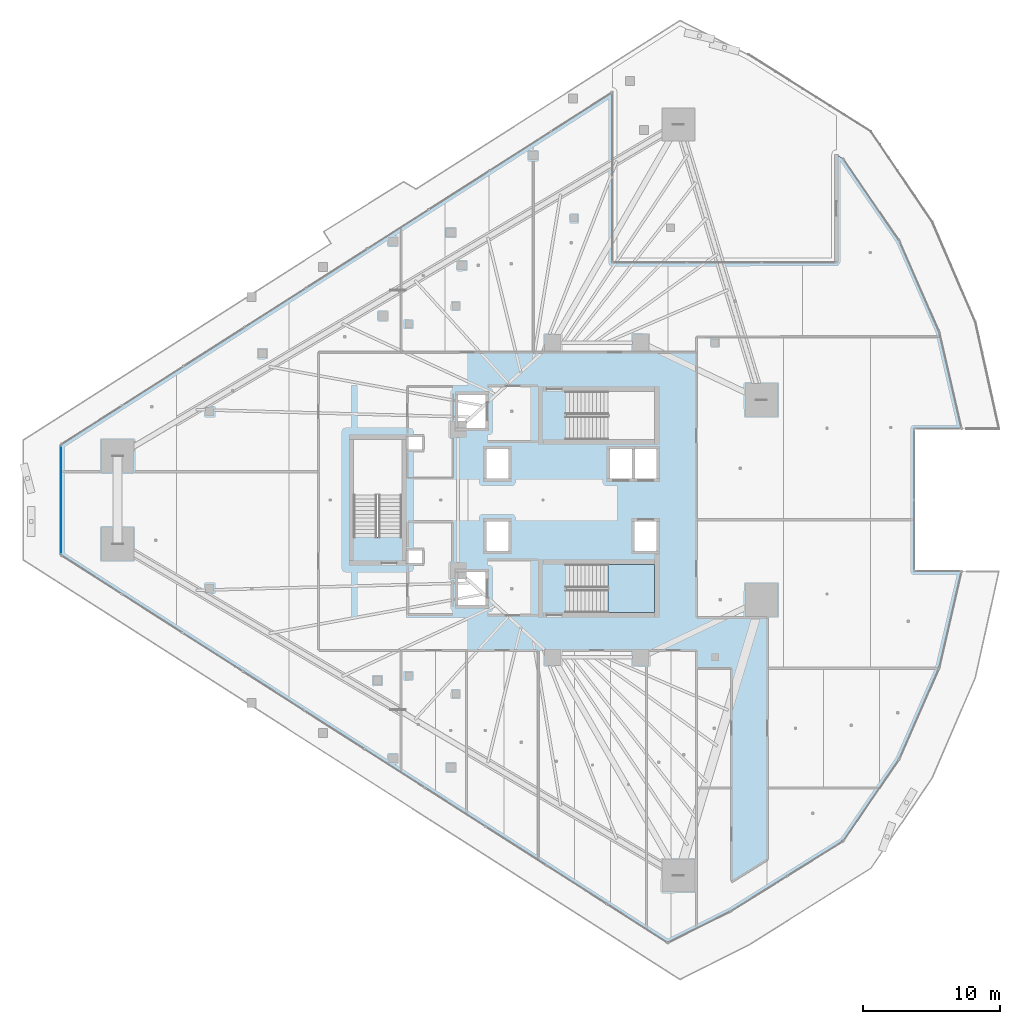
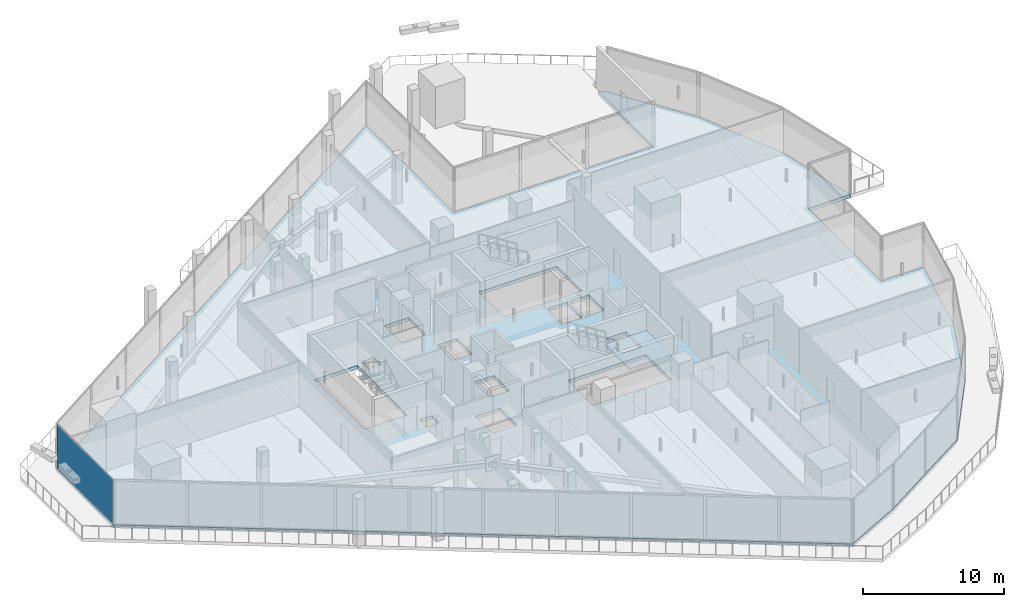
# One storey, part 28 of 47: 2 slabs, 1 plate, 2 elements without a shape of their own.
"""IFC4 building model written with IfcOpenShell, lengths in metres."""

from ifc_helpers import new_model, si_unit, direction, frame, origin, origin_2d, place, context, subcontext, project, spatial, polyline, rectangle, outline, extrude, material, layer, layer_set, type_object, element, aggregate, save


model = new_model("IFC4")

# Units and contexts
model_context = context("Model", 3, precision=1e-05, world=origin(), true_north=direction((0.0, 1.0)))
body_context = subcontext(model_context, "Body", "Model", "MODEL_VIEW")
ifc_project = project(units=[si_unit("LENGTHUNIT", "METRE"), si_unit("AREAUNIT", "SQUARE_METRE"), si_unit("VOLUMEUNIT", "CUBIC_METRE"), si_unit("PLANEANGLEUNIT", "RADIAN"), si_unit("MASSUNIT", "GRAM", prefix="KILO")], contexts=[model_context])

# Site, building, storey
site_placement = place(None, origin())
site = spatial("IfcSite", under=ifc_project, at=site_placement, CompositionType="ELEMENT")
building_placement = place(site_placement, origin())
building = spatial("IfcBuilding", under=site, at=building_placement, Name="Qorvath Tower", CompositionType="ELEMENT")
storey_placement = place(building_placement, frame((0.0, 0.0, 74.39990234375)))
storey = spatial("IfcBuildingStorey", under=building, at=storey_placement, Name="L16", CompositionType="ELEMENT", Elevation=74.39990234375)

# Curtain wall, plate
ifc_material_1 = material(Name="Anodised aluminium and triple low-E glass", Category="aluminium")
ifc_layer_1 = layer(ifc_material_1, 0.179931640625)
ifc_layer_set_1 = layer_set([ifc_layer_1], Name="CW-SYS-5")
curtain_wall_type = type_object("IfcCurtainWallType", Name="CW-SYS-5", PredefinedType="NOTDEFINED", material=ifc_layer_set_1)
curtain_wall_placement = place(storey_placement, origin())
curtain_wall = element("IfcCurtainWall", 1, at=curtain_wall_placement, inside=storey, type_object=curtain_wall_type, Name="Curtain Wall CW-5 CW-T-L16-5.1", PredefinedType="NOTDEFINED")
ifc_material_2 = material(Name="Low-E triple insulated glass", Category="glass")
ifc_layer_2 = layer(ifc_material_2, 0.031982421875)
ifc_layer_set_2 = layer_set([ifc_layer_2], Name="CWP-GLZ-32")
plate_type = type_object("IfcPlateType", Name="CWP-GLZ-32", PredefinedType="CURTAIN_PANEL", material=ifc_layer_set_2)
plate_placement = place(storey_placement, frame((-59.395751953125, 0.0, 0.06494140625), z_axis=(0.0, 0.0, 1.0), x_axis=(0.0, -1.0, 0.0)))
plate = element("IfcPlate", 2, at=plate_placement, type_object=plate_type, Name="CW-5 panel 1.1", PredefinedType="CURTAIN_PANEL", context=body_context, shape_type="SweptSolid", body=[
    extrude(rectangle(XDim=7.910888671875, YDim=0.031982421875, at=origin_2d()), origin(), (0.0, 0.0, 1.0), 3.790283203125),
])
aggregate(curtain_wall, [plate])

# Stair, slab
ifc_material_3 = material(Name="Concrete C50/60", Category="concrete")
stair_type = type_object("IfcStairType", Name="ST-H420", PredefinedType="HALF_TURN_STAIR", material=ifc_material_3)
stair_placement = place(storey_placement, origin())
stair = element("IfcStair", 3, at=stair_placement, inside=storey, type_object=stair_type, Name="L16 Tower Exit Stair 2", PredefinedType="HALF_TURN_STAIR")
ifc_material_4 = material(Name="Concrete C50/60", Category="concrete")
ifc_layer_3 = layer(ifc_material_4, 0.199951171875)
ifc_layer_set_3 = layer_set([ifc_layer_3], Name="SL-LND-200")
slab_type_1 = type_object("IfcSlabType", Name="SL-LND-200", PredefinedType="LANDING", material=ifc_layer_set_3)
slab_1_placement = place(storey_placement, frame((0.0, 0.0, 1.900146484375)))
slab_1 = element("IfcSlab", 4, at=slab_1_placement, type_object=slab_type_1, Name="TS2 landing 1", PredefinedType="LANDING", context=body_context, shape_type="SweptSolid", body=[
    extrude(outline(polyline([(-19.590087890625, -8.199951171875), (-16.199951171875, -8.199951171875), (-16.199951171875, -4.68994140625), (-19.590087890625, -4.68994140625), (-19.590087890625, -8.199951171875)])), origin(), (0.0, 0.0, 1.0), 0.199951171875),
])
aggregate(stair, [slab_1])

# Slab
ifc_material_5 = material(Name="Concrete C45/55", Category="concrete")
ifc_layer_4 = layer(ifc_material_5, 0.280029296875)
ifc_layer_set_4 = layer_set([ifc_layer_4], Name="SL-TYP-280")
slab_type_2 = type_object("IfcSlabType", Name="SL-TYP-280", PredefinedType="FLOOR", material=ifc_layer_set_4)
slab_2_placement = place(storey_placement, frame((0.0, 0.0, -0.27978515625)))
element("IfcSlab", 5, at=slab_2_placement, inside=storey, type_object=slab_type_2, Name="Tower L16 Interior Floor Slab", PredefinedType="FLOOR", context=body_context, shape_type="SweptSolid", body=[
    extrude(outline(polyline([(-2.456298828125, 24.827392578125), (-2.9599609375, 25.141845703125), (-2.9599609375, 17.280029296875), (-19.280029296875, 17.280029296875), (-19.280029296875, 29.669677734375), (-59.395751953125, 4.030517578125), (-59.395751953125, -4.030517578125), (-15.251953125, -32.244140625), (-10.6455078125, -29.94091796875), (-2.456298828125, -24.827392578125), (1.622802734375, -18.85498046875), (4.525634765625, -12.23095703125), (6.15185546875, -5.18408203125), (2.69580078125, -5.18408203125), (2.69580078125, 5.18408203125), (6.15185546875, 5.18408203125), (4.525634765625, 12.23095703125), (1.622802734375, 18.85498046875), (-2.456298828125, 24.827392578125)]), holes=[polyline([(-17.64990234375, -3.699951171875), (-17.64990234375, -1.550048828125), (-16.050048828125, -1.550048828125), (-16.050048828125, -3.699951171875), (-17.64990234375, -3.699951171875)]), polyline([(-17.64990234375, 1.550048828125), (-17.64990234375, 3.699951171875), (-16.050048828125, 3.699951171875), (-16.050048828125, 1.550048828125), (-17.64990234375, 1.550048828125)]), polyline([(-16.2451171875, -8.199951171875), (-22.625, -8.199951171875), (-22.625, -4.68994140625), (-16.2451171875, -4.68994140625), (-16.2451171875, -8.199951171875)]), polyline([(-22.625, 4.39990234375), (-22.625, 7.909912109375), (-16.2451171875, 7.909912109375), (-16.2451171875, 4.39990234375), (-22.625, 4.39990234375)]), polyline([(-17.85009765625, 1.550048828125), (-19.449951171875, 1.550048828125), (-19.449951171875, 3.699951171875), (-17.85009765625, 3.699951171875), (-17.85009765625, 1.550048828125)]), polyline([(-28.449951171875, -3.699951171875), (-28.449951171875, -1.550048828125), (-26.85009765625, -1.550048828125), (-26.85009765625, -3.699951171875), (-28.449951171875, -3.699951171875)]), polyline([(-26.85009765625, 1.550048828125), (-28.449951171875, 1.550048828125), (-28.449951171875, 3.699951171875), (-26.85009765625, 3.699951171875), (-26.85009765625, 1.550048828125)]), polyline([(-28.5, -7.64990234375), (-30.5, -7.64990234375), (-30.5, -5.25), (-28.5, -5.25), (-28.5, -7.64990234375)]), polyline([(-30.5, 5.25), (-30.5, 7.64990234375), (-28.5, 7.64990234375), (-28.5, 5.25), (-30.5, 5.25)]), polyline([(-34.14990234375, -4.6201171875), (-34.14990234375, -3.64990234375), (-33.10009765625, -3.64990234375), (-33.10009765625, -4.6201171875), (-34.14990234375, -4.6201171875)]), polyline([(-34.14990234375, 3.64990234375), (-34.14990234375, 4.6201171875), (-33.10009765625, 4.6201171875), (-33.10009765625, 3.64990234375), (-34.14990234375, 3.64990234375)]), polyline([(-34.60009765625, -2.675048828125), (-38.110107421875, -2.675048828125), (-38.110107421875, 4.35498046875), (-34.60009765625, 4.35498046875), (-34.60009765625, -2.675048828125)])]), origin(), (0.0, 0.0, 1.0), 0.27978515625),
])

save(model, "model.ifc")
